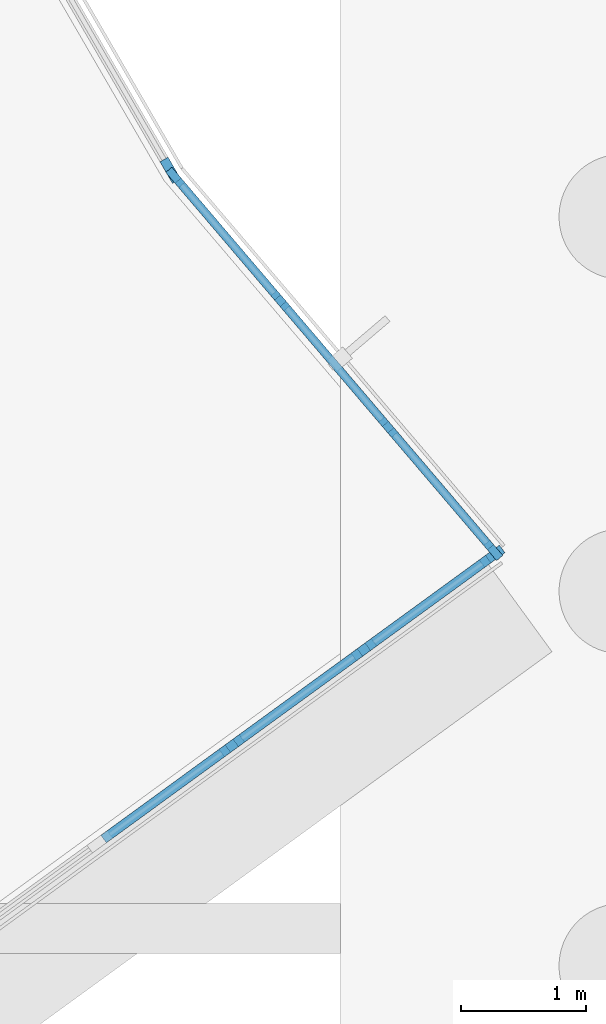
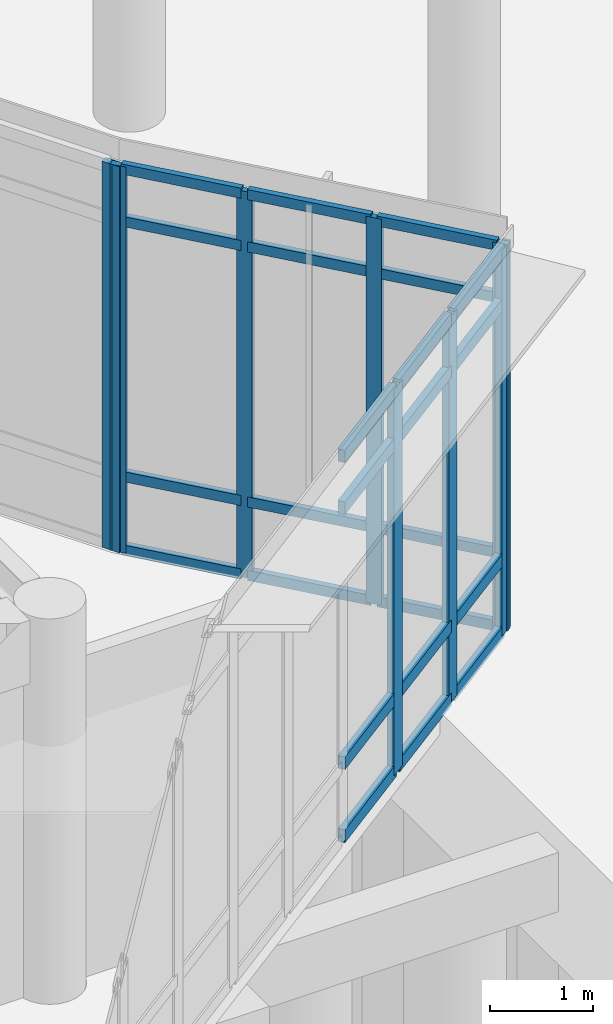
# One storey, part 23 of 103: 32 members, 3 elements without a shape of their own.
"""IFC4 building model written with IfcOpenShell, lengths in metres."""

import ifcopenshell
import ifcopenshell.guid

model = None  # the IFC model being written
_history = None  # IfcOwnerHistory: only IFC2X3 demands one
_inside = {}  # id of a spatial element -> (the spatial element, [elements in it])
_under = {}  # id of a project, library or spatial element -> (it, [spatial elements below it])
_declared = {}  # id of a project -> (the project, [libraries it declares])
_typed = {}  # id of a type object -> (the type object, [elements of that type])
_made_of = {}  # id of a material, layer set ... -> (it, [elements and type objects made of it])


def new_model(schema):
    """Start an empty IFC model of exactly this schema.

    Asked for "IFC4X3", IfcOpenShell would pick the latest addendum, in which some entities
    have other attributes; the version numbers below select the first issue.
    IFC2X3 requires an IfcOwnerHistory on every rooted entity: one is made here for all.
    """
    global model, _history
    if schema == "IFC4X3":
        model = ifcopenshell.file(schema_version=(4, 3, 0, 0))
    else:
        model = ifcopenshell.file(schema=schema)
    _inside.clear()
    _under.clear()
    _declared.clear()
    _typed.clear()
    _made_of.clear()
    _history = None
    if model.schema == "IFC2X3":
        org = make("IfcOrganization", Name="unknown")
        user = make(
            "IfcPersonAndOrganization",
            ThePerson=make("IfcPerson", FamilyName="unknown"),
            TheOrganization=org,
        )
        app = make(
            "IfcApplication",
            ApplicationDeveloper=org,
            Version="unknown",
            ApplicationFullName="unknown",
            ApplicationIdentifier="unknown",
        )
        _history = make(
            "IfcOwnerHistory",
            OwningUser=user,
            OwningApplication=app,
            ChangeAction="ADDED",
            CreationDate=0,
        )
    return model


def make(cls, **values):
    """One entity of the class cls with the attributes given. An attribute that is None is left unset."""
    return model.create_entity(
        cls, **{name: value for name, value in values.items() if value is not None}
    )


def rooted(cls, **values):
    """An entity with a GlobalId (a new one), such as an element, a storey or a relation."""
    return make(cls, GlobalId=ifcopenshell.guid.new(), OwnerHistory=_history, **values)


def si_unit(unit_type, name, prefix=None):
    """IfcSIUnit, for example si_unit("LENGTHUNIT", "METRE", prefix="MILLI")."""
    return make("IfcSIUnit", UnitType=unit_type, Prefix=prefix, Name=name)


def assignment(units):
    """IfcUnitAssignment: the units of a project."""
    return None if units is None else make("IfcUnitAssignment", Units=units)


def point(xyz):
    """IfcCartesianPoint."""
    return None if xyz is None else make("IfcCartesianPoint", Coordinates=xyz)


def direction(xyz):
    """IfcDirection."""
    return None if xyz is None else make("IfcDirection", DirectionRatios=xyz)


def frame(location, z_axis=None, x_axis=None):
    """IfcAxis2Placement3D, a coordinate frame: its origin and axes. An axis left out is left unset."""
    return make(
        "IfcAxis2Placement3D",
        Location=point(location),
        Axis=direction(z_axis),
        RefDirection=direction(x_axis),
    )


def frame_2d(location, x_axis=None):
    """IfcAxis2Placement2D, a coordinate frame in the plane: its origin and x axis."""
    return make(
        "IfcAxis2Placement2D", Location=point(location), RefDirection=direction(x_axis)
    )


def origin():
    """The frame at (0, 0, 0) with its axes left unset."""
    return frame((0.0, 0.0, 0.0))


def origin_2d():
    """The frame at (0, 0) in the plane with its x axis left unset."""
    return frame_2d((0.0, 0.0))


def place(relative_to, where):
    """IfcLocalPlacement: puts the frame where relative to a parent placement (None: the world)."""
    return make(
        "IfcLocalPlacement", PlacementRelTo=relative_to, RelativePlacement=where
    )


def context(
    kind, dimensions, precision=None, world=None, true_north=None, identifier=None
):
    """IfcGeometricRepresentationContext, for example the 3D "Model" context."""
    return make(
        "IfcGeometricRepresentationContext",
        ContextIdentifier=identifier,
        ContextType=kind,
        CoordinateSpaceDimension=dimensions,
        Precision=precision,
        WorldCoordinateSystem=world,
        TrueNorth=true_north,
    )


def subcontext(parent, identifier, kind, view, scale=None):
    """IfcGeometricRepresentationSubContext, for example "Body" below "Model"."""
    return make(
        "IfcGeometricRepresentationSubContext",
        ContextIdentifier=identifier,
        ContextType=kind,
        ParentContext=parent,
        TargetScale=scale,
        TargetView=view,
    )


def project(units=None, contexts=None):
    """IfcProject with its units and contexts."""
    return rooted(
        "IfcProject",
        Name="project",
        RepresentationContexts=contexts,
        UnitsInContext=assignment(units),
    )


def spatial(cls, under=None, at=None, **own):
    """A site, building, storey or space (cls), placed at a placement, below another one or the project."""
    s = rooted(cls, ObjectPlacement=at, **own)
    if under is not None:
        _under.setdefault(under.id(), (under, []))[1].append(s)
    return s


def profile(cls, at=None, kind="AREA", **sizes):
    """A parametric profile (cls). Its sizes go by their IFC names, for example OverallWidth=200.0."""
    return make(cls, ProfileType=kind, Position=at, **sizes)


def rectangle(**sizes):
    """IfcRectangleProfileDef."""
    return profile("IfcRectangleProfileDef", **sizes)


def extrude(swept, where, along, depth):
    """IfcExtrudedAreaSolid: the profile swept, set in the frame where, extruded along a direction by depth."""
    return make(
        "IfcExtrudedAreaSolid",
        SweptArea=swept,
        Position=where,
        ExtrudedDirection=direction(along),
        Depth=depth,
    )


def shape(context_of_items, identifier, shape_type, items):
    """IfcShapeRepresentation: the items that make up one representation, for example the "Body"."""
    return make(
        "IfcShapeRepresentation",
        ContextOfItems=context_of_items,
        RepresentationIdentifier=identifier,
        RepresentationType=shape_type,
        Items=items,
    )


def material(Name=None, Category=None):
    """IfcMaterial."""
    return make("IfcMaterial", Name=Name, Category=Category)


def layer(
    of_material, thickness, ventilated=None, Name=None, Category=None, Priority=None
):
    """IfcMaterialLayer: one layer of a wall or slab, of a material (None: an air gap)."""
    return make(
        "IfcMaterialLayer",
        Material=of_material,
        LayerThickness=thickness,
        IsVentilated=ventilated,
        Name=Name,
        Category=Category,
        Priority=Priority,
    )


def layer_set(layers, Name=None):
    """IfcMaterialLayerSet."""
    return make("IfcMaterialLayerSet", MaterialLayers=layers, LayerSetName=Name)


def material_profile(
    of_material, cross_section, Name=None, Category=None, Priority=None
):
    """IfcMaterialProfile: a cross section and its material."""
    return make(
        "IfcMaterialProfile",
        Name=Name,
        Material=of_material,
        Profile=cross_section,
        Priority=Priority,
        Category=Category,
    )


def profile_set(profiles, Name=None, composite=None):
    """IfcMaterialProfileSet."""
    return make(
        "IfcMaterialProfileSet",
        Name=Name,
        MaterialProfiles=profiles,
        CompositeProfile=composite,
    )


def made_of(thing, what):
    """Note that an element or type object is made of a material, layer set ...; save() writes the relation."""
    if what is not None:
        _made_of.setdefault(what.id(), (what, []))[1].append(thing)
    return thing


def type_object(cls, material=None, **own):
    """A type object (cls), such as IfcWallType, which elements share."""
    return made_of(rooted(cls, **own), material)


def element(
    cls,
    number,
    at=None,
    inside=None,
    cuts=None,
    type_object=None,
    material=None,
    context=None,
    identifier="Body",
    shape_type=None,
    held_by="IfcProductDefinitionShape",
    body=None,
    shapes=None,
    **own,
):
    """One element of the class cls, such as IfcWall. Its Tag is "e" and its number.

    at: its placement. inside: the storey or other place that contains it. cuts: it is an
    opening in that element (IfcRelVoidsElement). A single representation is given by context,
    identifier, shape_type and body (its items); several are given by shapes. held_by: the class
    of the entity that holds the representations. save() writes the other relations.
    """
    e = rooted(cls, Tag="e%d" % number, ObjectPlacement=at, **own)
    if body is not None:
        shapes = [shape(context, identifier, shape_type, body)]
    if shapes is not None:
        e.Representation = make(held_by, Representations=shapes)
    if inside is not None:
        _inside.setdefault(inside.id(), (inside, []))[1].append(e)
    if cuts is not None:
        rooted(
            "IfcRelVoidsElement", RelatingBuildingElement=cuts, RelatedOpeningElement=e
        )
    if type_object is not None:
        _typed.setdefault(type_object.id(), (type_object, []))[1].append(e)
    return made_of(e, material)


def aggregate(whole, parts):
    """IfcRelAggregates: a whole, such as a stair, and the parts it consists of."""
    return rooted("IfcRelAggregates", RelatingObject=whole, RelatedObjects=parts)


def save(model, path):
    """Write the relations noted so far, then the file.

    IfcRelAggregates (storeys below a building ...), IfcRelContainedInSpatialStructure (elements
    in a storey), IfcRelDefinesByType, IfcRelAssociatesMaterial and IfcRelDeclares: one each for
    every whole, place, type object, material and project.
    """
    for whole, parts in _under.values():
        aggregate(whole, parts)
    for where, things in _inside.values():
        rooted(
            "IfcRelContainedInSpatialStructure",
            RelatedElements=things,
            RelatingStructure=where,
        )
    for kind, things in _typed.values():
        rooted("IfcRelDefinesByType", RelatedObjects=things, RelatingType=kind)
    for what, things in _made_of.values():
        rooted("IfcRelAssociatesMaterial", RelatedObjects=things, RelatingMaterial=what)
    for by, libraries in _declared.values():
        rooted("IfcRelDeclares", RelatingContext=by, RelatedDefinitions=libraries)
    model.write(path)


model = new_model("IFC4")

# Units and contexts
model_context = context("Model", 3, precision=1e-05, world=origin(), true_north=direction((0.0, 1.0)))
body_context = subcontext(model_context, "Body", "Model", "MODEL_VIEW")
ifc_project = project(units=[si_unit("LENGTHUNIT", "METRE"), si_unit("AREAUNIT", "SQUARE_METRE"), si_unit("VOLUMEUNIT", "CUBIC_METRE"), si_unit("PLANEANGLEUNIT", "RADIAN"), si_unit("MASSUNIT", "GRAM", prefix="KILO")], contexts=[model_context])

# Site, building, storey
site_placement = place(None, origin())
site = spatial("IfcSite", under=ifc_project, at=site_placement, CompositionType="ELEMENT")
building_placement = place(site_placement, origin())
building = spatial("IfcBuilding", under=site, at=building_placement, Name="Namkhue Oval Health Centre", CompositionType="ELEMENT")
storey_placement = place(building_placement, origin())
storey = spatial("IfcBuildingStorey", under=building, at=storey_placement, Name="L00", CompositionType="ELEMENT", Elevation=0.0)

# Curtain wall, members
ifc_material = material(Name="Anodised aluminium EN AW-6063 T6", Category="aluminium")
ifc_layer_1 = layer(ifc_material, 0.159912109375)
ifc_layer_set_1 = layer_set([ifc_layer_1], Name="Anodised aluminium EN AW-6063 T6")
curtain_wall_type_1 = type_object("IfcCurtainWallType", Name="UNITISED CURTAIN WALL M1500", PredefinedType="NOTDEFINED", material=ifc_layer_set_1)
curtain_wall_1_placement = place(storey_placement, origin())
curtain_wall_1 = element("IfcCurtainWall", 1, at=curtain_wall_1_placement, inside=storey, type_object=curtain_wall_type_1, Name="Volume V1 L00 Unitised Curtain Wall 3", PredefinedType="NOTDEFINED")
ifc_material_profile_1 = material_profile(ifc_material, rectangle(XDim=0.06494140625, YDim=0.159912109375, at=origin_2d()), Name="ALU 65x160")
ifc_profile_set_1 = profile_set([ifc_material_profile_1], Name="Anodised aluminium EN AW-6063 T6")
member_type_1 = type_object("IfcMemberType", Name="CURTAIN WALL MULLION 65X160", PredefinedType="MULLION", material=ifc_profile_set_1)
member_1_placement = place(storey_placement, frame((71.596923828125, 46.227783203125, 0.0), z_axis=(0.0, 0.0, 1.0), x_axis=(-0.761004950887, -0.648746071067, 0.0)))
member_1 = element("IfcMember", 2, at=member_1_placement, type_object=member_type_1, Name="CW-03 mullion 1", PredefinedType="MULLION", context=body_context, shape_type="SweptSolid", body=[
    extrude(rectangle(XDim=0.06494140625, YDim=0.159912109375, at=origin_2d()), origin(), (0.0, 0.0, 1.0), 4.56494140625),
])
member_2_placement = place(storey_placement, frame((70.7548828125, 47.21533203125, 0.0), z_axis=(0.0, 0.0, 1.0), x_axis=(-0.761004950887, -0.648746071067, 0.0)))
member_2 = element("IfcMember", 3, at=member_2_placement, type_object=member_type_1, Name="CW-03 mullion 2", PredefinedType="MULLION", context=body_context, shape_type="SweptSolid", body=[
    extrude(rectangle(XDim=0.06494140625, YDim=0.159912109375, at=origin_2d()), origin(), (0.0, 0.0, 1.0), 4.56494140625),
])
member_3_placement = place(storey_placement, frame((69.89208984375, 48.227783203125, 0.0), z_axis=(0.0, 0.0, 1.0), x_axis=(-0.761004950887, -0.648746071067, 0.0)))
member_3 = element("IfcMember", 4, at=member_3_placement, type_object=member_type_1, Name="CW-03 mullion 3", PredefinedType="MULLION", context=body_context, shape_type="SweptSolid", body=[
    extrude(rectangle(XDim=0.06494140625, YDim=0.159912109375, at=origin_2d()), origin(), (0.0, 0.0, 1.0), 4.56494140625),
])
member_4_placement = place(storey_placement, frame((69.050048828125, 49.21533203125, 0.0), z_axis=(0.0, 0.0, 1.0), x_axis=(-0.761004950887, -0.648746071067, 0.0)))
member_4 = element("IfcMember", 5, at=member_4_placement, type_object=member_type_1, Name="CW-03 mullion 4", PredefinedType="MULLION", context=body_context, shape_type="SweptSolid", body=[
    extrude(rectangle(XDim=0.06494140625, YDim=0.159912109375, at=origin_2d()), origin(), (0.0, 0.0, 1.0), 4.56494140625),
])

ifc_layer_2 = layer(ifc_material, 0.159912109375)
ifc_layer_set_2 = layer_set([ifc_layer_2], Name="Anodised aluminium EN AW-6063 T6")
curtain_wall_type_2 = type_object("IfcCurtainWallType", Name="UNITISED CURTAIN WALL M1350", PredefinedType="NOTDEFINED", material=ifc_layer_set_2)
curtain_wall_2_placement = place(storey_placement, origin())
curtain_wall_2 = element("IfcCurtainWall", 6, at=curtain_wall_2_placement, inside=storey, type_object=curtain_wall_type_2, Name="Volume V1 L00 Unitised Curtain Wall 2", PredefinedType="NOTDEFINED")
ifc_material_profile_2 = material_profile(ifc_material, rectangle(XDim=0.074951171875, YDim=0.199951171875, at=origin_2d()), Name="ALU 75x200")
ifc_profile_set_2 = profile_set([ifc_material_profile_2], Name="Anodised aluminium EN AW-6063 T6")
member_type_2 = type_object("IfcMemberType", Name="CURTAIN WALL MULLION 75X200", PredefinedType="MULLION", material=ifc_profile_set_2)
member_5_placement = place(storey_placement, frame((69.5029296875, 44.66357421875, 0.0), z_axis=(0.0, 0.0, 1.0), x_axis=(-0.588476942894, 0.808513999682, 0.0)))
member_5 = element("IfcMember", 7, at=member_5_placement, type_object=member_type_2, Name="CW-02 mullion 12", PredefinedType="MULLION", context=body_context, shape_type="SweptSolid", body=[
    extrude(rectangle(XDim=0.074951171875, YDim=0.199951171875, at=origin_2d()), origin(), (0.0, 0.0, 1.0), 4.56494140625),
])
member_6_placement = place(storey_placement, frame((70.560546875, 45.433349609375, 0.0), z_axis=(0.0, 0.0, 1.0), x_axis=(-0.588476942894, 0.808513999682, 0.0)))
member_6 = element("IfcMember", 8, at=member_6_placement, type_object=member_type_2, Name="CW-02 mullion 13", PredefinedType="MULLION", context=body_context, shape_type="SweptSolid", body=[
    extrude(rectangle(XDim=0.074951171875, YDim=0.199951171875, at=origin_2d()), origin(), (0.0, 0.0, 1.0), 4.56494140625),
])
member_7_placement = place(storey_placement, frame((71.587646484375, 46.180908203125, 0.0), z_axis=(0.0, 0.0, 1.0), x_axis=(-0.588476942894, 0.808513999682, 0.0)))
member_7 = element("IfcMember", 9, at=member_7_placement, type_object=member_type_2, Name="CW-02 mullion 14", PredefinedType="MULLION", context=body_context, shape_type="SweptSolid", body=[
    extrude(rectangle(XDim=0.074951171875, YDim=0.199951171875, at=origin_2d()), origin(), (0.0, 0.0, 1.0), 4.56494140625),
])

# Curtain wall, member
ifc_layer_3 = layer(ifc_material, 0.159912109375)
ifc_layer_set_3 = layer_set([ifc_layer_3], Name="Anodised aluminium EN AW-6063 T6")
curtain_wall_type_3 = type_object("IfcCurtainWallType", Name="UNITISED CURTAIN WALL M1600", PredefinedType="NOTDEFINED", material=ifc_layer_set_3)
curtain_wall_3_placement = place(storey_placement, origin())
curtain_wall_3 = element("IfcCurtainWall", 10, at=curtain_wall_3_placement, inside=storey, type_object=curtain_wall_type_3, Name="Volume V1 L00 Unitised Curtain Wall 4", PredefinedType="NOTDEFINED")
member_8_placement = place(storey_placement, frame((69.01025390625, 49.2724609375, 0.0), z_axis=(0.0, 0.0, 1.0), x_axis=(-0.865008156752, -0.501757798896, 0.0)))
member_8 = element("IfcMember", 11, at=member_8_placement, type_object=member_type_2, Name="CW-04 mullion 1", PredefinedType="MULLION", context=body_context, shape_type="SweptSolid", body=[
    extrude(rectangle(XDim=0.074951171875, YDim=0.199951171875, at=origin_2d()), origin(), (0.0, 0.0, 1.0), 4.56494140625),
])
aggregate(curtain_wall_3, [member_8])

# Member
ifc_material_profile_3 = material_profile(ifc_material, rectangle(XDim=0.06494140625, YDim=0.1201171875, at=origin_2d()), Name="ALU 65x120")
ifc_profile_set_3 = profile_set([ifc_material_profile_3], Name="Anodised aluminium EN AW-6063 T6")
member_type_3 = type_object("IfcMemberType", Name="CURTAIN WALL TRANSOM 65X120", PredefinedType="USERDEFINED", material=ifc_profile_set_3)
member_9_placement = place(storey_placement, frame((71.575927734375, 46.25244140625, 0.032470703125), z_axis=(-0.648734176014, 0.761015091093, 0.0), x_axis=(-0.761015091093, -0.648734176014, 0.0)))
member_9 = element("IfcMember", 12, at=member_9_placement, type_object=member_type_3, Name="CW-03 transom 1.1", ObjectType="TRANSOM", PredefinedType="USERDEFINED", context=body_context, shape_type="SweptSolid", body=[
    extrude(rectangle(XDim=0.06494140625, YDim=0.1201171875, at=origin_2d()), origin(), (0.0, 0.0, 1.0), 1.23291015625),
])

member_10_placement = place(storey_placement, frame((71.575927734375, 46.25244140625, 0.89990234375), z_axis=(-0.648734176014, 0.761015091093, 0.0), x_axis=(-0.761015091093, -0.648734176014, 0.0)))
member_10 = element("IfcMember", 13, at=member_10_placement, type_object=member_type_3, Name="CW-03 transom 1.2", ObjectType="TRANSOM", PredefinedType="USERDEFINED", context=body_context, shape_type="SweptSolid", body=[
    extrude(rectangle(XDim=0.06494140625, YDim=0.1201171875, at=origin_2d()), origin(), (0.0, 0.0, 1.0), 1.23291015625),
])

member_11_placement = place(storey_placement, frame((71.575927734375, 46.25244140625, 3.9150390625), z_axis=(-0.648734176014, 0.761015091093, 0.0), x_axis=(-0.761015091093, -0.648734176014, 0.0)))
member_11 = element("IfcMember", 14, at=member_11_placement, type_object=member_type_3, Name="CW-03 transom 1.3", ObjectType="TRANSOM", PredefinedType="USERDEFINED", context=body_context, shape_type="SweptSolid", body=[
    extrude(rectangle(XDim=0.06494140625, YDim=0.1201171875, at=origin_2d()), origin(), (0.0, 0.0, 1.0), 1.23291015625),
])

member_12_placement = place(storey_placement, frame((71.575927734375, 46.25244140625, 4.532470703125), z_axis=(-0.648734176014, 0.761015091093, 0.0), x_axis=(-0.761015091093, -0.648734176014, 0.0)))
member_12 = element("IfcMember", 15, at=member_12_placement, type_object=member_type_3, Name="CW-03 transom 1.4", ObjectType="TRANSOM", PredefinedType="USERDEFINED", context=body_context, shape_type="SweptSolid", body=[
    extrude(rectangle(XDim=0.06494140625, YDim=0.1201171875, at=origin_2d()), origin(), (0.0, 0.0, 1.0), 1.23291015625),
])

member_13_placement = place(storey_placement, frame((70.73388671875, 47.239990234375, 0.032470703125), z_axis=(-0.648723184125, 0.761024461091, 0.0), x_axis=(-0.761024461091, -0.648723184125, 0.0)))
member_13 = element("IfcMember", 16, at=member_13_placement, type_object=member_type_3, Name="CW-03 transom 2.1", ObjectType="TRANSOM", PredefinedType="USERDEFINED", context=body_context, shape_type="SweptSolid", body=[
    extrude(rectangle(XDim=0.06494140625, YDim=0.1201171875, at=origin_2d()), origin(), (0.0, 0.0, 1.0), 1.26513671875),
])

member_14_placement = place(storey_placement, frame((70.73388671875, 47.239990234375, 0.89990234375), z_axis=(-0.648723184125, 0.761024461091, 0.0), x_axis=(-0.761024461091, -0.648723184125, 0.0)))
member_14 = element("IfcMember", 17, at=member_14_placement, type_object=member_type_3, Name="CW-03 transom 2.2", ObjectType="TRANSOM", PredefinedType="USERDEFINED", context=body_context, shape_type="SweptSolid", body=[
    extrude(rectangle(XDim=0.06494140625, YDim=0.1201171875, at=origin_2d()), origin(), (0.0, 0.0, 1.0), 1.26513671875),
])

member_15_placement = place(storey_placement, frame((70.73388671875, 47.239990234375, 3.9150390625), z_axis=(-0.648723184125, 0.761024461091, 0.0), x_axis=(-0.761024461091, -0.648723184125, 0.0)))
member_15 = element("IfcMember", 18, at=member_15_placement, type_object=member_type_3, Name="CW-03 transom 2.3", ObjectType="TRANSOM", PredefinedType="USERDEFINED", context=body_context, shape_type="SweptSolid", body=[
    extrude(rectangle(XDim=0.06494140625, YDim=0.1201171875, at=origin_2d()), origin(), (0.0, 0.0, 1.0), 1.26513671875),
])

member_16_placement = place(storey_placement, frame((70.73388671875, 47.239990234375, 4.532470703125), z_axis=(-0.648723184125, 0.761024461091, 0.0), x_axis=(-0.761024461091, -0.648723184125, 0.0)))
member_16 = element("IfcMember", 19, at=member_16_placement, type_object=member_type_3, Name="CW-03 transom 2.4", ObjectType="TRANSOM", PredefinedType="USERDEFINED", context=body_context, shape_type="SweptSolid", body=[
    extrude(rectangle(XDim=0.06494140625, YDim=0.1201171875, at=origin_2d()), origin(), (0.0, 0.0, 1.0), 1.26513671875),
])

member_17_placement = place(storey_placement, frame((69.870849609375, 48.25244140625, 0.032470703125), z_axis=(-0.648717250281, 0.761029519261, 0.0), x_axis=(-0.761029519261, -0.648717250281, 0.0)))
member_17 = element("IfcMember", 20, at=member_17_placement, type_object=member_type_3, Name="CW-03 transom 3.1", ObjectType="TRANSOM", PredefinedType="USERDEFINED", context=body_context, shape_type="SweptSolid", body=[
    extrude(rectangle(XDim=0.06494140625, YDim=0.1201171875, at=origin_2d()), origin(), (0.0, 0.0, 1.0), 1.232421875),
])

member_18_placement = place(storey_placement, frame((69.870849609375, 48.25244140625, 0.89990234375), z_axis=(-0.648717250281, 0.761029519261, 0.0), x_axis=(-0.761029519261, -0.648717250281, 0.0)))
member_18 = element("IfcMember", 21, at=member_18_placement, type_object=member_type_3, Name="CW-03 transom 3.2", ObjectType="TRANSOM", PredefinedType="USERDEFINED", context=body_context, shape_type="SweptSolid", body=[
    extrude(rectangle(XDim=0.06494140625, YDim=0.1201171875, at=origin_2d()), origin(), (0.0, 0.0, 1.0), 1.232421875),
])

member_19_placement = place(storey_placement, frame((69.870849609375, 48.25244140625, 3.9150390625), z_axis=(-0.648717250281, 0.761029519261, 0.0), x_axis=(-0.761029519261, -0.648717250281, 0.0)))
member_19 = element("IfcMember", 22, at=member_19_placement, type_object=member_type_3, Name="CW-03 transom 3.3", ObjectType="TRANSOM", PredefinedType="USERDEFINED", context=body_context, shape_type="SweptSolid", body=[
    extrude(rectangle(XDim=0.06494140625, YDim=0.1201171875, at=origin_2d()), origin(), (0.0, 0.0, 1.0), 1.232421875),
])

member_20_placement = place(storey_placement, frame((69.870849609375, 48.25244140625, 4.532470703125), z_axis=(-0.648717250281, 0.761029519261, 0.0), x_axis=(-0.761029519261, -0.648717250281, 0.0)))
member_20 = element("IfcMember", 23, at=member_20_placement, type_object=member_type_3, Name="CW-03 transom 3.4", ObjectType="TRANSOM", PredefinedType="USERDEFINED", context=body_context, shape_type="SweptSolid", body=[
    extrude(rectangle(XDim=0.06494140625, YDim=0.1201171875, at=origin_2d()), origin(), (0.0, 0.0, 1.0), 1.232421875),
])

aggregate(curtain_wall_1, [member_1, member_2, member_3, member_4, member_9, member_10, member_11, member_12, member_13, member_14, member_15, member_16, member_17, member_18, member_19, member_20])

ifc_material_profile_4 = material_profile(ifc_material, rectangle(XDim=0.074951171875, YDim=0.14990234375, at=origin_2d()), Name="ALU 75x150")
ifc_profile_set_4 = profile_set([ifc_material_profile_4], Name="Anodised aluminium EN AW-6063 T6")
member_type_4 = type_object("IfcMemberType", Name="CURTAIN WALL TRANSOM 75X150", PredefinedType="USERDEFINED", material=ifc_profile_set_4)
member_21_placement = place(storey_placement, frame((68.475830078125, 43.916015625, 0.03759765625), z_axis=(0.808496258108, 0.588501317437, 0.0), x_axis=(-0.588501317437, 0.808496258108, 0.0)))
member_21 = element("IfcMember", 24, at=member_21_placement, type_object=member_type_4, Name="CW-02 transom 11.1", ObjectType="TRANSOM", PredefinedType="USERDEFINED", context=body_context, shape_type="SweptSolid", body=[
    extrude(rectangle(XDim=0.074951171875, YDim=0.14990234375, at=origin_2d()), origin(), (0.0, 0.0, 1.0), 1.23291015625),
])

member_22_placement = place(storey_placement, frame((68.475830078125, 43.916015625, 0.89990234375), z_axis=(0.808496258108, 0.588501317437, 0.0), x_axis=(-0.588501317437, 0.808496258108, 0.0)))
member_22 = element("IfcMember", 25, at=member_22_placement, type_object=member_type_4, Name="CW-02 transom 11.2", ObjectType="TRANSOM", PredefinedType="USERDEFINED", context=body_context, shape_type="SweptSolid", body=[
    extrude(rectangle(XDim=0.074951171875, YDim=0.14990234375, at=origin_2d()), origin(), (0.0, 0.0, 1.0), 1.23291015625),
])

member_23_placement = place(storey_placement, frame((68.475830078125, 43.916015625, 3.9150390625), z_axis=(0.808496258108, 0.588501317437, 0.0), x_axis=(-0.588501317437, 0.808496258108, 0.0)))
member_23 = element("IfcMember", 26, at=member_23_placement, type_object=member_type_4, Name="CW-02 transom 11.3", ObjectType="TRANSOM", PredefinedType="USERDEFINED", context=body_context, shape_type="SweptSolid", body=[
    extrude(rectangle(XDim=0.074951171875, YDim=0.14990234375, at=origin_2d()), origin(), (0.0, 0.0, 1.0), 1.23291015625),
])

member_24_placement = place(storey_placement, frame((68.475830078125, 43.916015625, 4.527587890625), z_axis=(0.808496258108, 0.588501317437, 0.0), x_axis=(-0.588501317437, 0.808496258108, 0.0)))
member_24 = element("IfcMember", 27, at=member_24_placement, type_object=member_type_4, Name="CW-02 transom 11.4", ObjectType="TRANSOM", PredefinedType="USERDEFINED", context=body_context, shape_type="SweptSolid", body=[
    extrude(rectangle(XDim=0.074951171875, YDim=0.14990234375, at=origin_2d()), origin(), (0.0, 0.0, 1.0), 1.23291015625),
])

member_25_placement = place(storey_placement, frame((69.533447265625, 44.685791015625, 0.03759765625), z_axis=(0.808590474599, 0.588371858936, 0.0), x_axis=(-0.588371858936, 0.808590474599, 0.0)))
member_25 = element("IfcMember", 28, at=member_25_placement, type_object=member_type_4, Name="CW-02 transom 12.1", ObjectType="TRANSOM", PredefinedType="USERDEFINED", context=body_context, shape_type="SweptSolid", body=[
    extrude(rectangle(XDim=0.074951171875, YDim=0.14990234375, at=origin_2d()), origin(), (0.0, 0.0, 1.0), 1.23291015625),
])

member_26_placement = place(storey_placement, frame((69.533447265625, 44.685791015625, 0.89990234375), z_axis=(0.808590474599, 0.588371858936, 0.0), x_axis=(-0.588371858936, 0.808590474599, 0.0)))
member_26 = element("IfcMember", 29, at=member_26_placement, type_object=member_type_4, Name="CW-02 transom 12.2", ObjectType="TRANSOM", PredefinedType="USERDEFINED", context=body_context, shape_type="SweptSolid", body=[
    extrude(rectangle(XDim=0.074951171875, YDim=0.14990234375, at=origin_2d()), origin(), (0.0, 0.0, 1.0), 1.23291015625),
])

member_27_placement = place(storey_placement, frame((69.533447265625, 44.685791015625, 3.9150390625), z_axis=(0.808590474599, 0.588371858936, 0.0), x_axis=(-0.588371858936, 0.808590474599, 0.0)))
member_27 = element("IfcMember", 30, at=member_27_placement, type_object=member_type_4, Name="CW-02 transom 12.3", ObjectType="TRANSOM", PredefinedType="USERDEFINED", context=body_context, shape_type="SweptSolid", body=[
    extrude(rectangle(XDim=0.074951171875, YDim=0.14990234375, at=origin_2d()), origin(), (0.0, 0.0, 1.0), 1.23291015625),
])

member_28_placement = place(storey_placement, frame((69.533447265625, 44.685791015625, 4.527587890625), z_axis=(0.808590474599, 0.588371858936, 0.0), x_axis=(-0.588371858936, 0.808590474599, 0.0)))
member_28 = element("IfcMember", 31, at=member_28_placement, type_object=member_type_4, Name="CW-02 transom 12.4", ObjectType="TRANSOM", PredefinedType="USERDEFINED", context=body_context, shape_type="SweptSolid", body=[
    extrude(rectangle(XDim=0.074951171875, YDim=0.14990234375, at=origin_2d()), origin(), (0.0, 0.0, 1.0), 1.23291015625),
])

member_29_placement = place(storey_placement, frame((70.5908203125, 45.455322265625, 0.03759765625), z_axis=(0.808471079977, 0.588535906161, 0.0), x_axis=(-0.588535906161, 0.808471079977, 0.0)))
member_29 = element("IfcMember", 32, at=member_29_placement, type_object=member_type_4, Name="CW-02 transom 13.1", ObjectType="TRANSOM", PredefinedType="USERDEFINED", context=body_context, shape_type="SweptSolid", body=[
    extrude(rectangle(XDim=0.074951171875, YDim=0.14990234375, at=origin_2d()), origin(), (0.0, 0.0, 1.0), 1.195556640625),
])

member_30_placement = place(storey_placement, frame((70.5908203125, 45.455322265625, 0.89990234375), z_axis=(0.808471079977, 0.588535906161, 0.0), x_axis=(-0.588535906161, 0.808471079977, 0.0)))
member_30 = element("IfcMember", 33, at=member_30_placement, type_object=member_type_4, Name="CW-02 transom 13.2", ObjectType="TRANSOM", PredefinedType="USERDEFINED", context=body_context, shape_type="SweptSolid", body=[
    extrude(rectangle(XDim=0.074951171875, YDim=0.14990234375, at=origin_2d()), origin(), (0.0, 0.0, 1.0), 1.195556640625),
])

member_31_placement = place(storey_placement, frame((70.5908203125, 45.455322265625, 3.9150390625), z_axis=(0.808471079977, 0.588535906161, 0.0), x_axis=(-0.588535906161, 0.808471079977, 0.0)))
member_31 = element("IfcMember", 34, at=member_31_placement, type_object=member_type_4, Name="CW-02 transom 13.3", ObjectType="TRANSOM", PredefinedType="USERDEFINED", context=body_context, shape_type="SweptSolid", body=[
    extrude(rectangle(XDim=0.074951171875, YDim=0.14990234375, at=origin_2d()), origin(), (0.0, 0.0, 1.0), 1.195556640625),
])

member_32_placement = place(storey_placement, frame((70.5908203125, 45.455322265625, 4.527587890625), z_axis=(0.808471079977, 0.588535906161, 0.0), x_axis=(-0.588535906161, 0.808471079977, 0.0)))
member_32 = element("IfcMember", 35, at=member_32_placement, type_object=member_type_4, Name="CW-02 transom 13.4", ObjectType="TRANSOM", PredefinedType="USERDEFINED", context=body_context, shape_type="SweptSolid", body=[
    extrude(rectangle(XDim=0.074951171875, YDim=0.14990234375, at=origin_2d()), origin(), (0.0, 0.0, 1.0), 1.195556640625),
])

aggregate(curtain_wall_2, [member_5, member_6, member_7, member_21, member_22, member_23, member_24, member_25, member_26, member_27, member_28, member_29, member_30, member_31, member_32])

save(model, "model.ifc")
